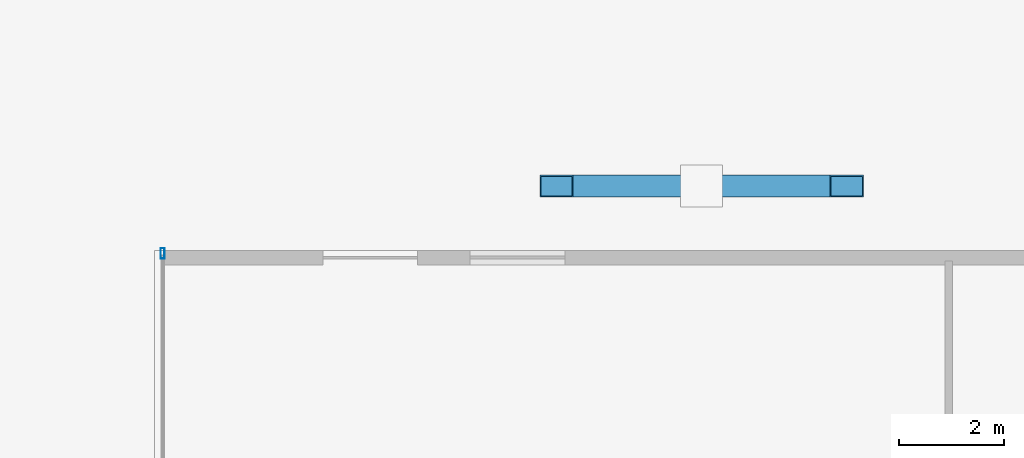
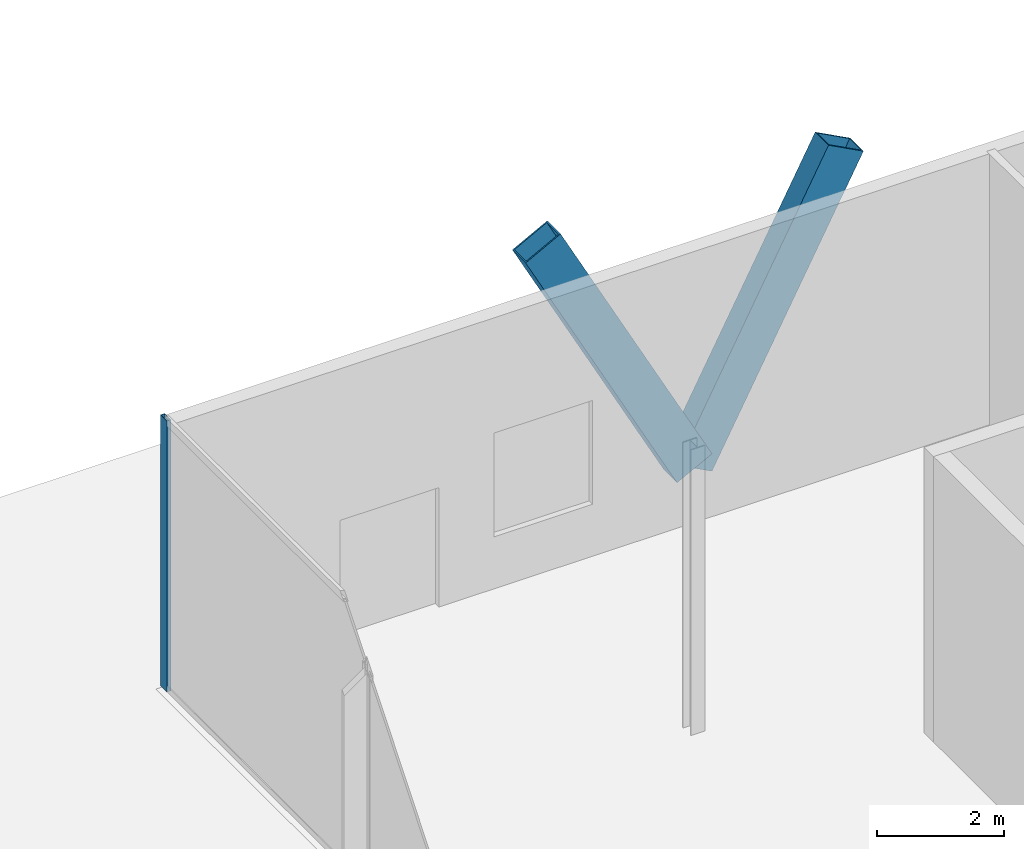
# One storey, part 20 of 38: 3 members, 1 element without a shape of its own.
"""IFC4 building model written with IfcOpenShell, lengths in metres."""

from ifc_helpers import new_model, si_unit, direction, frame, origin, origin_2d, place, context, subcontext, project, spatial, hollow_rectangle, extrude, material, layer, layer_set, material_profile, profile_set, type_object, element, aggregate, save


model = new_model("IFC4")

# Units and contexts
model_context = context("Model", 3, precision=1e-05, world=origin(), true_north=direction((0.0, 1.0)))
body_context = subcontext(model_context, "Body", "Model", "MODEL_VIEW")
ifc_project = project(units=[si_unit("LENGTHUNIT", "METRE"), si_unit("AREAUNIT", "SQUARE_METRE"), si_unit("VOLUMEUNIT", "CUBIC_METRE"), si_unit("PLANEANGLEUNIT", "RADIAN"), si_unit("MASSUNIT", "GRAM", prefix="KILO")], contexts=[model_context])

# Site, building, storey
site_placement = place(None, origin())
site = spatial("IfcSite", under=ifc_project, at=site_placement, CompositionType="ELEMENT")
building_placement = place(site_placement, origin())
building = spatial("IfcBuilding", under=site, at=building_placement, Name="Orvanel Arch Residences", CompositionType="ELEMENT")
storey_placement = place(building_placement, origin())
storey = spatial("IfcBuildingStorey", under=building, at=storey_placement, Name="L00", CompositionType="ELEMENT", Elevation=0.0)

# Members
ifc_material_1 = material(Name="Structural steel AS/NZS 3678 Grade 350", Category="steel")
ifc_material_profile_1 = material_profile(ifc_material_1, hollow_rectangle(XDim=0.419921875, YDim=0.719970703125, WallThickness=0.02490234375, at=origin_2d()), Name="RHS720x420x25")
ifc_profile_set_1 = profile_set([ifc_material_profile_1], Name="Structural steel AS/NZS 3678 Grade 350")
member_type_1 = type_object("IfcMemberType", Name="BR-720RHS-EXT", PredefinedType="BRACE", material=ifc_profile_set_1)
for number, where, z_axis, x_axis, name in (
    (1, (11.800048828125, 54.419921875, 0.0), (-0.468699295337, 0.0, 0.883357781734), (0.0, -1.0, 0.0), "L00 Podium Multi-Storey V-Strut Pair N1 Leg 1"),
    (2, (11.800048828125, 54.419921875, 0.0), (0.468699295337, 0.0, 0.883357781734), (0.0, 1.0, 0.0), "L00 Podium Multi-Storey V-Strut Pair N1 Leg 2"),
):
    element("IfcMember", number, at=place(storey_placement, frame(where, z_axis=z_axis, x_axis=x_axis)), inside=storey, type_object=member_type_1, Name=name, PredefinedType="BRACE", context=body_context, shape_type="SweptSolid", body=[
        extrude(hollow_rectangle(XDim=0.419921875, YDim=0.719970703125, WallThickness=0.02490234375, at=origin_2d()), origin(), (0.0, 0.0, 1.0), 5.886474609375),
    ])

# Curtain wall, member
ifc_material_2 = material(Name="Bronze-anodised aluminium AA6063-T6", Category="aluminium")
ifc_layer = layer(ifc_material_2, 0.199951171875)
ifc_layer_set = layer_set([ifc_layer], Name="Bronze-anodised aluminium AA6063-T6")
curtain_wall_type = type_object("IfcCurtainWallType", Name="CW1-POD-SYS", PredefinedType="NOTDEFINED", material=ifc_layer_set)
curtain_wall_placement = place(storey_placement, origin())
curtain_wall = element("IfcCurtainWall", 3, at=curtain_wall_placement, inside=storey, type_object=curtain_wall_type, Name="L00 CW1-POD-SYS Unitised Curtain Wall", PredefinedType="NOTDEFINED")
ifc_material_profile_2 = material_profile(ifc_material_2, hollow_rectangle(XDim=0.074951171875, YDim=0.199951171875, WallThickness=0.0048828125, at=origin_2d()), Name="ALU200x75x5")
ifc_profile_set_2 = profile_set([ifc_material_profile_2], Name="Bronze-anodised aluminium AA6063-T6")
member_type_2 = type_object("IfcMemberType", Name="MUL-200x75", PredefinedType="MULLION", material=ifc_profile_set_2)
member_placement = place(storey_placement, frame((1.550048828125, 53.142578125, 0.0), z_axis=(0.0, 0.0, 1.0), x_axis=(1.0, 0.0, 0.0)))
member = element("IfcMember", 4, at=member_placement, type_object=member_type_2, Name="CW-S1 mullion 1", PredefinedType="MULLION", context=body_context, shape_type="SweptSolid", body=[
    extrude(hollow_rectangle(XDim=0.074951171875, YDim=0.199951171875, WallThickness=0.0048828125, at=origin_2d()), origin(), (0.0, 0.0, 1.0), 5.219970703125),
])
aggregate(curtain_wall, [member])

save(model, "model.ifc")
